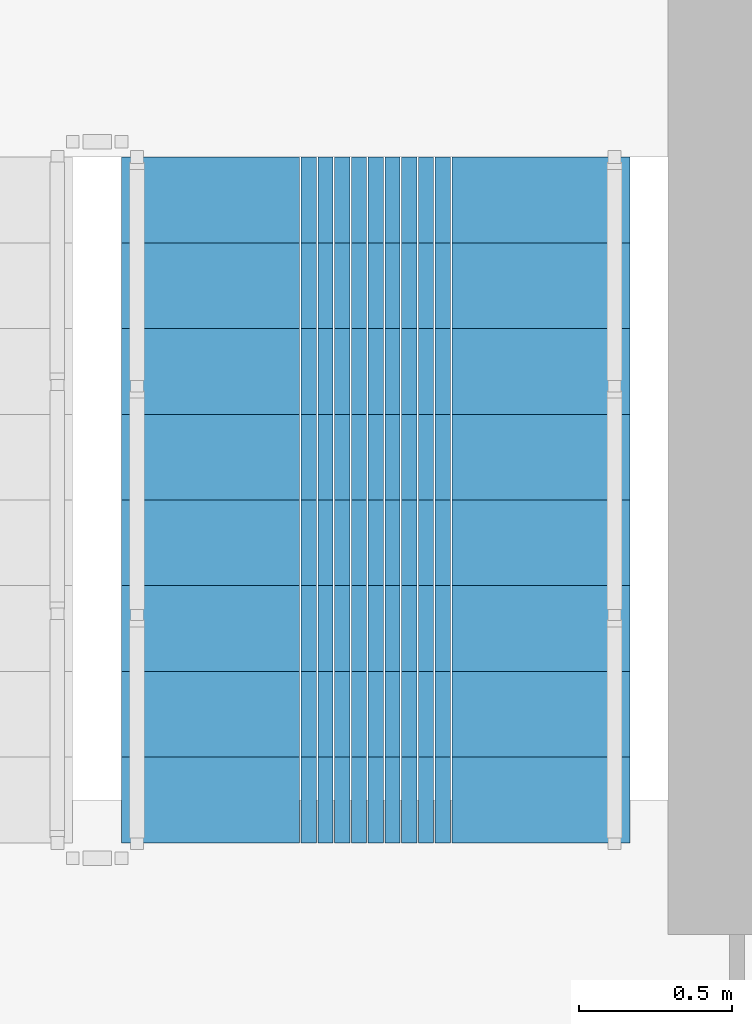
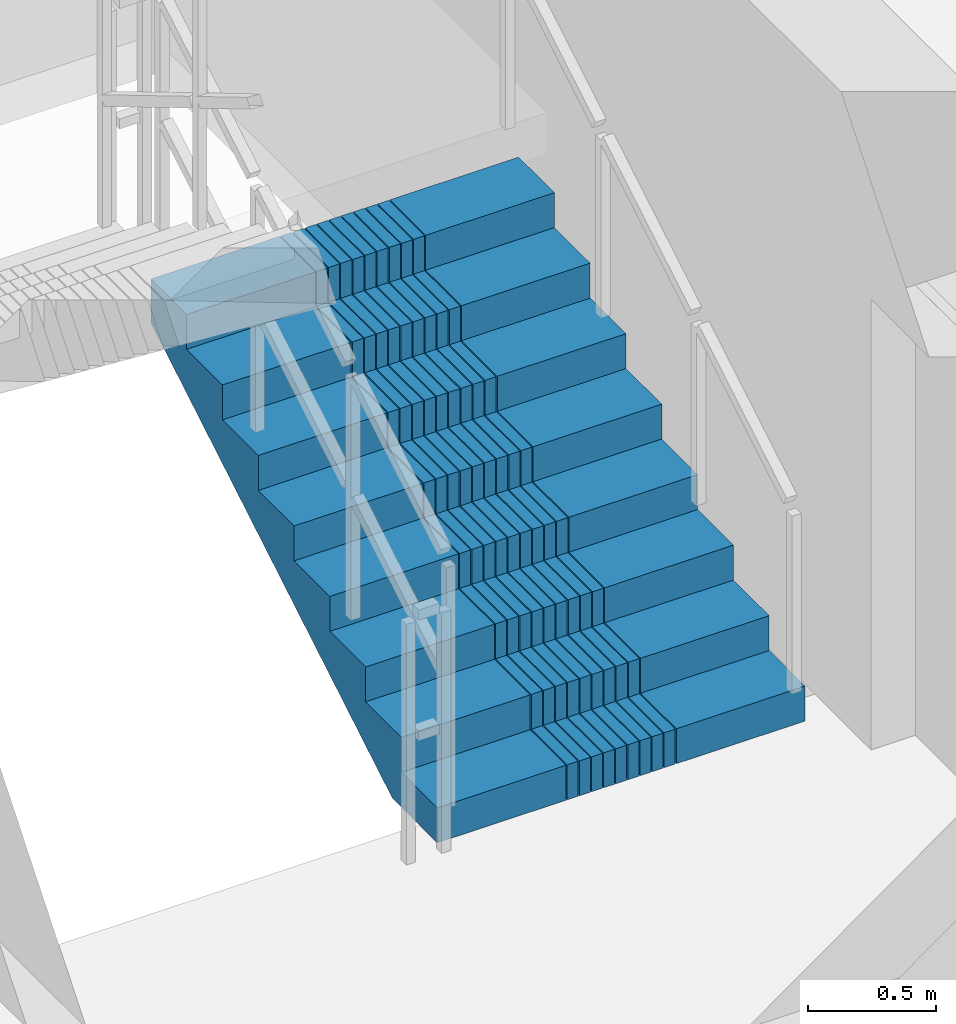
# One storey, part 9 of 14: 1 stair flight, 1 element without a shape of its own.
"""IFC4 building model written with IfcOpenShell, lengths in metres."""

from ifc_helpers import new_model, si_unit, direction, frame, origin, place, context, subcontext, project, spatial, polyline, outline, extrude, material, type_object, element, aggregate, save


model = new_model("IFC4")

# Units and contexts
model_context = context("Model", 3, precision=1e-05, world=origin(), true_north=direction((0.0, 1.0)))
body_context = subcontext(model_context, "Body", "Model", "MODEL_VIEW")
ifc_project = project(units=[si_unit("LENGTHUNIT", "METRE"), si_unit("AREAUNIT", "SQUARE_METRE"), si_unit("VOLUMEUNIT", "CUBIC_METRE"), si_unit("PLANEANGLEUNIT", "RADIAN"), si_unit("MASSUNIT", "GRAM", prefix="KILO")], contexts=[model_context])

# Site, building, storey
site_placement = place(None, origin())
site = spatial("IfcSite", under=ifc_project, at=site_placement, CompositionType="ELEMENT")
building_placement = place(site_placement, origin())
building = spatial("IfcBuilding", under=site, at=building_placement, Name="Saelheon Loggia Tower", CompositionType="ELEMENT")
storey_placement = place(building_placement, frame((0.0, 0.0, 210.300048828125)))
storey = spatial("IfcBuildingStorey", under=building, at=storey_placement, Name="L65", CompositionType="ELEMENT", Elevation=210.300048828125)

# Stair, stair flight
ifc_material = material(Name="Concrete C40/50", Category="concrete")
stair_type = type_object("IfcStairType", Name="Stair_Escape_Core", PredefinedType="HALF_TURN_STAIR", material=ifc_material)
stair_placement = place(storey_placement, origin())
stair = element("IfcStair", 1, at=stair_placement, inside=storey, type_object=stair_type, Name="L65 Special Escape Stair ST2", PredefinedType="HALF_TURN_STAIR")
stair_flight_type = type_object("IfcStairFlightType", Name="StairFlight_Tower_1660", PredefinedType="STRAIGHT", material=ifc_material)
stair_flight_placement = place(storey_placement, frame((43.320068359375, 30.449951171875, 0.0), z_axis=(0.0, 0.0, 1.0), x_axis=(0.0, 1.0, 0.0)))
stair_flight = element("IfcStairFlight", 2, at=stair_flight_placement, type_object=stair_flight_type, Name="ST2 flight 1", NumberOfRisers=9, NumberOfTreads=8, PredefinedType="STRAIGHT", RiserHeight=0.166666667, TreadLength=0.28, context=body_context, shape_type="SweptSolid", body=[
    extrude(outline(polyline([(0.0, 0.0), (0.0, 0.166748046875), (0.280029296875, 0.166748046875), (0.280029296875, 0.333251953125), (0.56005859375, 0.333251953125), (0.56005859375, 0.5), (0.840087890625, 0.5), (0.840087890625, 0.666748046875), (1.1201171875, 0.666748046875), (1.1201171875, 0.833251953125), (1.39990234375, 0.833251953125), (1.39990234375, 1.0), (1.679931640625, 1.0), (1.679931640625, 1.166748046875), (1.9599609375, 1.166748046875), (1.9599609375, 1.333251953125), (2.239990234375, 1.333251953125), (2.239990234375, 1.5), (2.239990234375, 1.1240234375), (0.351806640625, 0.0), (0.0, 0.0)])), frame((0.0, -0.2490234375, 0.0), z_axis=(0.0, -1.0, 0.0), x_axis=(1.0, 0.0, 0.0)), (0.0, 0.0, 1.0), 0.5810546875),
    extrude(outline(polyline([(0.0, 0.0), (0.0, 0.166748046875), (0.280029296875, 0.166748046875), (0.280029296875, 0.333251953125), (0.56005859375, 0.333251953125), (0.56005859375, 0.5), (0.840087890625, 0.5), (0.840087890625, 0.666748046875), (1.1201171875, 0.666748046875), (1.1201171875, 0.833251953125), (1.39990234375, 0.833251953125), (1.39990234375, 1.0), (1.679931640625, 1.0), (1.679931640625, 1.166748046875), (1.9599609375, 1.166748046875), (1.9599609375, 1.333251953125), (2.239990234375, 1.333251953125), (2.239990234375, 1.5), (2.239990234375, 1.1240234375), (0.351806640625, 0.0), (0.0, 0.0)])), frame((0.0, -0.194091796875, 0.0), z_axis=(0.0, -1.0, 0.0), x_axis=(1.0, 0.0, 0.0)), (0.0, 0.0, 1.0), 0.0498046875),
    extrude(outline(polyline([(0.0, 0.0), (0.0, 0.166748046875), (0.280029296875, 0.166748046875), (0.280029296875, 0.333251953125), (0.56005859375, 0.333251953125), (0.56005859375, 0.5), (0.840087890625, 0.5), (0.840087890625, 0.666748046875), (1.1201171875, 0.666748046875), (1.1201171875, 0.833251953125), (1.39990234375, 0.833251953125), (1.39990234375, 1.0), (1.679931640625, 1.0), (1.679931640625, 1.166748046875), (1.9599609375, 1.166748046875), (1.9599609375, 1.333251953125), (2.239990234375, 1.333251953125), (2.239990234375, 1.5), (2.239990234375, 1.1240234375), (0.351806640625, 0.0), (0.0, 0.0)])), frame((0.0, -0.139404296875, 0.0), z_axis=(0.0, -1.0, 0.0), x_axis=(1.0, 0.0, 0.0)), (0.0, 0.0, 1.0), 0.0498046875),
    extrude(outline(polyline([(0.0, 0.0), (0.0, 0.166748046875), (0.280029296875, 0.166748046875), (0.280029296875, 0.333251953125), (0.56005859375, 0.333251953125), (0.56005859375, 0.5), (0.840087890625, 0.5), (0.840087890625, 0.666748046875), (1.1201171875, 0.666748046875), (1.1201171875, 0.833251953125), (1.39990234375, 0.833251953125), (1.39990234375, 1.0), (1.679931640625, 1.0), (1.679931640625, 1.166748046875), (1.9599609375, 1.166748046875), (1.9599609375, 1.333251953125), (2.239990234375, 1.333251953125), (2.239990234375, 1.5), (2.239990234375, 1.1240234375), (0.351806640625, 0.0), (0.0, 0.0)])), frame((0.0, -0.084716796875, 0.0), z_axis=(0.0, -1.0, 0.0), x_axis=(1.0, 0.0, 0.0)), (0.0, 0.0, 1.0), 0.0498046875),
    extrude(outline(polyline([(0.0, 0.0), (0.0, 0.166748046875), (0.280029296875, 0.166748046875), (0.280029296875, 0.333251953125), (0.56005859375, 0.333251953125), (0.56005859375, 0.5), (0.840087890625, 0.5), (0.840087890625, 0.666748046875), (1.1201171875, 0.666748046875), (1.1201171875, 0.833251953125), (1.39990234375, 0.833251953125), (1.39990234375, 1.0), (1.679931640625, 1.0), (1.679931640625, 1.166748046875), (1.9599609375, 1.166748046875), (1.9599609375, 1.333251953125), (2.239990234375, 1.333251953125), (2.239990234375, 1.5), (2.239990234375, 1.1240234375), (0.351806640625, 0.0), (0.0, 0.0)])), frame((0.0, -0.02978515625, 0.0), z_axis=(0.0, -1.0, 0.0), x_axis=(1.0, 0.0, 0.0)), (0.0, 0.0, 1.0), 0.0498046875),
    extrude(outline(polyline([(0.0, 0.0), (0.0, 0.166748046875), (0.280029296875, 0.166748046875), (0.280029296875, 0.333251953125), (0.56005859375, 0.333251953125), (0.56005859375, 0.5), (0.840087890625, 0.5), (0.840087890625, 0.666748046875), (1.1201171875, 0.666748046875), (1.1201171875, 0.833251953125), (1.39990234375, 0.833251953125), (1.39990234375, 1.0), (1.679931640625, 1.0), (1.679931640625, 1.166748046875), (1.9599609375, 1.166748046875), (1.9599609375, 1.333251953125), (2.239990234375, 1.333251953125), (2.239990234375, 1.5), (2.239990234375, 1.1240234375), (0.351806640625, 0.0), (0.0, 0.0)])), frame((0.0, 0.02490234375, 0.0), z_axis=(0.0, -1.0, 0.0), x_axis=(1.0, 0.0, 0.0)), (0.0, 0.0, 1.0), 0.0498046875),
    extrude(outline(polyline([(0.0, 0.0), (0.0, 0.166748046875), (0.280029296875, 0.166748046875), (0.280029296875, 0.333251953125), (0.56005859375, 0.333251953125), (0.56005859375, 0.5), (0.840087890625, 0.5), (0.840087890625, 0.666748046875), (1.1201171875, 0.666748046875), (1.1201171875, 0.833251953125), (1.39990234375, 0.833251953125), (1.39990234375, 1.0), (1.679931640625, 1.0), (1.679931640625, 1.166748046875), (1.9599609375, 1.166748046875), (1.9599609375, 1.333251953125), (2.239990234375, 1.333251953125), (2.239990234375, 1.5), (2.239990234375, 1.1240234375), (0.351806640625, 0.0), (0.0, 0.0)])), frame((0.0, 0.07958984375, 0.0), z_axis=(0.0, -1.0, 0.0), x_axis=(1.0, 0.0, 0.0)), (0.0, 0.0, 1.0), 0.0498046875),
    extrude(outline(polyline([(0.0, 0.0), (0.0, 0.166748046875), (0.280029296875, 0.166748046875), (0.280029296875, 0.333251953125), (0.56005859375, 0.333251953125), (0.56005859375, 0.5), (0.840087890625, 0.5), (0.840087890625, 0.666748046875), (1.1201171875, 0.666748046875), (1.1201171875, 0.833251953125), (1.39990234375, 0.833251953125), (1.39990234375, 1.0), (1.679931640625, 1.0), (1.679931640625, 1.166748046875), (1.9599609375, 1.166748046875), (1.9599609375, 1.333251953125), (2.239990234375, 1.333251953125), (2.239990234375, 1.5), (2.239990234375, 1.1240234375), (0.351806640625, 0.0), (0.0, 0.0)])), frame((0.0, 0.134521484375, 0.0), z_axis=(0.0, -1.0, 0.0), x_axis=(1.0, 0.0, 0.0)), (0.0, 0.0, 1.0), 0.0498046875),
    extrude(outline(polyline([(0.0, 0.0), (0.0, 0.166748046875), (0.280029296875, 0.166748046875), (0.280029296875, 0.333251953125), (0.56005859375, 0.333251953125), (0.56005859375, 0.5), (0.840087890625, 0.5), (0.840087890625, 0.666748046875), (1.1201171875, 0.666748046875), (1.1201171875, 0.833251953125), (1.39990234375, 0.833251953125), (1.39990234375, 1.0), (1.679931640625, 1.0), (1.679931640625, 1.166748046875), (1.9599609375, 1.166748046875), (1.9599609375, 1.333251953125), (2.239990234375, 1.333251953125), (2.239990234375, 1.5), (2.239990234375, 1.1240234375), (0.351806640625, 0.0), (0.0, 0.0)])), frame((0.0, 0.189208984375, 0.0), z_axis=(0.0, -1.0, 0.0), x_axis=(1.0, 0.0, 0.0)), (0.0, 0.0, 1.0), 0.0498046875),
    extrude(outline(polyline([(0.0, 0.0), (0.0, 0.166748046875), (0.280029296875, 0.166748046875), (0.280029296875, 0.333251953125), (0.56005859375, 0.333251953125), (0.56005859375, 0.5), (0.840087890625, 0.5), (0.840087890625, 0.666748046875), (1.1201171875, 0.666748046875), (1.1201171875, 0.833251953125), (1.39990234375, 0.833251953125), (1.39990234375, 1.0), (1.679931640625, 1.0), (1.679931640625, 1.166748046875), (1.9599609375, 1.166748046875), (1.9599609375, 1.333251953125), (2.239990234375, 1.333251953125), (2.239990234375, 1.5), (2.239990234375, 1.1240234375), (0.351806640625, 0.0), (0.0, 0.0)])), frame((0.0, 0.243896484375, 0.0), z_axis=(0.0, -1.0, 0.0), x_axis=(1.0, 0.0, 0.0)), (0.0, 0.0, 1.0), 0.0498046875),
    extrude(outline(polyline([(0.0, 0.0), (0.0, 0.166748046875), (0.280029296875, 0.166748046875), (0.280029296875, 0.333251953125), (0.56005859375, 0.333251953125), (0.56005859375, 0.5), (0.840087890625, 0.5), (0.840087890625, 0.666748046875), (1.1201171875, 0.666748046875), (1.1201171875, 0.833251953125), (1.39990234375, 0.833251953125), (1.39990234375, 1.0), (1.679931640625, 1.0), (1.679931640625, 1.166748046875), (1.9599609375, 1.166748046875), (1.9599609375, 1.333251953125), (2.239990234375, 1.333251953125), (2.239990234375, 1.5), (2.239990234375, 1.1240234375), (0.351806640625, 0.0), (0.0, 0.0)])), frame((0.0, 0.830078125, 0.0), z_axis=(0.0, -1.0, 0.0), x_axis=(1.0, 0.0, 0.0)), (0.0, 0.0, 1.0), 0.5810546875),
])
aggregate(stair, [stair_flight])

save(model, "model.ifc")
